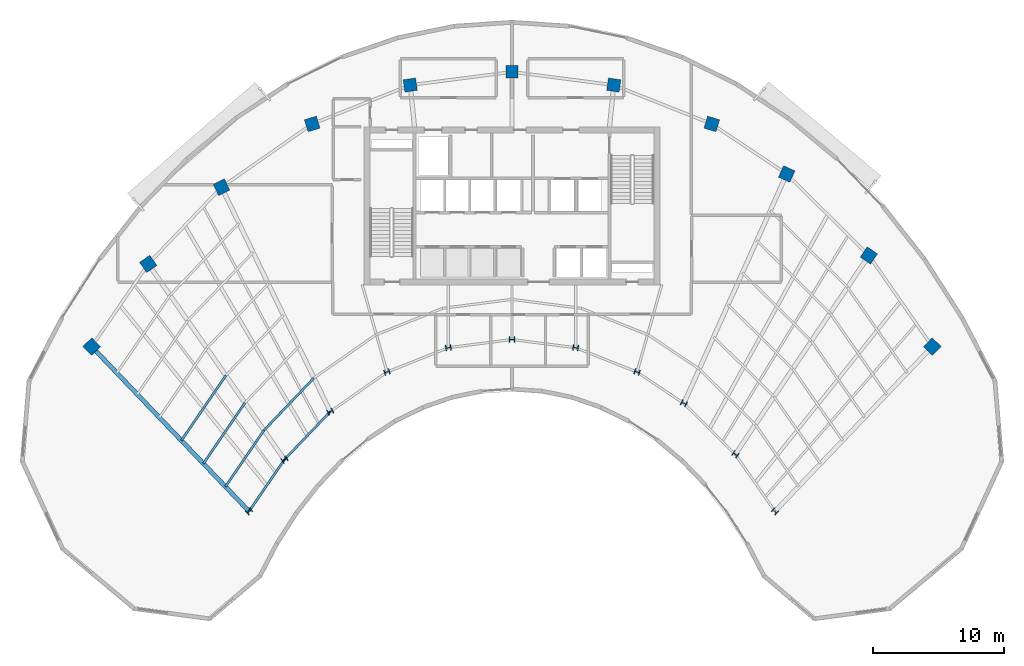
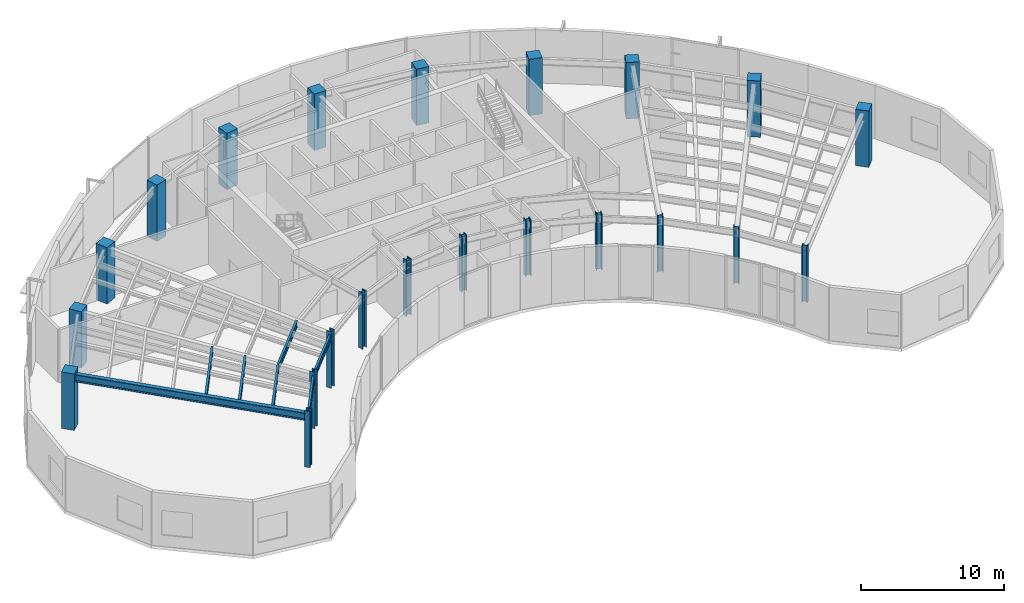
# One storey, part 1 of 15: 22 columns, 7 beams.
"""IFC4 building model written with IfcOpenShell, lengths in metres."""

from ifc_helpers import new_model, si_unit, direction, frame, origin, origin_2d, place, context, subcontext, project, spatial, rectangle, i_section, extrude, source, transform, mapped, material, material_profile, profile_set, type_object, type_shapes, element, save


model = new_model("IFC4")

# Units and contexts
model_context = context("Model", 3, precision=1e-05, world=origin(), true_north=direction((0.0, 1.0)))
body_context = subcontext(model_context, "Body", "Model", "MODEL_VIEW")
ifc_project = project(units=[si_unit("LENGTHUNIT", "METRE"), si_unit("AREAUNIT", "SQUARE_METRE"), si_unit("VOLUMEUNIT", "CUBIC_METRE"), si_unit("PLANEANGLEUNIT", "RADIAN"), si_unit("MASSUNIT", "GRAM", prefix="KILO")], contexts=[model_context])

# Site, building, storey
site_placement = place(None, origin())
site = spatial("IfcSite", under=ifc_project, at=site_placement, CompositionType="ELEMENT")
building_placement = place(site_placement, origin())
building = spatial("IfcBuilding", under=site, at=building_placement, Name="Breltana Convention Tower", CompositionType="ELEMENT")
storey_placement = place(building_placement, frame((0.0, 0.0, 199.199951171875)))
storey = spatial("IfcBuildingStorey", under=building, at=storey_placement, Name="L48", CompositionType="ELEMENT", Elevation=199.199951171875)

# Columns
ifc_material_1 = material(Name="Steel ASTM A992 Grade 50", Category="steel")
ifc_material_profile_1 = material_profile(ifc_material_1, i_section(OverallWidth=0.406005859375, OverallDepth=0.416015625, WebThickness=0.02978515625, FlangeThickness=0.048095703125, at=origin_2d()), Name="W14X257")
ifc_profile_set_1 = profile_set([ifc_material_profile_1], Name="Steel ASTM A992 Grade 50")
column_type_1 = type_object("IfcColumnType", Name="COL-STL-W14X257", PredefinedType="COLUMN", material=ifc_profile_set_1)
shared_shape_1 = source(origin(), body_context, "Body", "SweptSolid", [
    extrude(i_section(OverallWidth=0.406005859375, OverallDepth=0.416015625, WebThickness=0.02978515625, FlangeThickness=0.048095703125, at=origin_2d()), origin(), (0.0, 0.0, 1.0), 4.800048828125),
])
type_shapes(column_type_1, [shared_shape_1])
for number, where, z_axis, x_axis, name in (
    (1, (27.984619140625, 42.95458984375, 0.0), (0.0, 0.0, 1.0), (-0.690756218984, 0.723087716626, 0.0), "L48 Tower Column R01-IN"),
    (2, (30.67724609375, 46.892333984375, 0.0), (0.0, 0.0, 1.0), (-0.571143442153, 0.820850271661, 0.0), "L48 Tower Column R02-IN"),
    (3, (34.166259765625, 50.544921875, 0.0), (0.0, 0.0, 1.0), (-0.436173672171, 0.899862504889, 0.0), "L48 Tower Column R03-IN"),
    (4, (38.485107421875, 53.5576171875, 0.0), (0.0, 0.0, 1.0), (-0.288697611798, 0.957420330337, 0.0), "L48 Tower Column R04-IN"),
    (5, (43.153564453125, 55.41064453125, 0.0), (0.0, 0.0, 1.0), (-0.143492621991, 0.98965138682, 0.0), "L48 Tower Column R05-IN"),
    (6, (48.0, 56.035888671875, 0.0), (0.0, 0.0, 1.0), (0.0, 1.0, 0.0), "L48 Tower Column R06-IN"),
    (7, (52.846435546875, 55.41064453125, 0.0), (0.0, 0.0, 1.0), (0.143492621991, 0.98965138682, 0.0), "L48 Tower Column R07-IN"),
    (8, (57.514892578125, 53.5576171875, 0.0), (0.0, 0.0, 1.0), (0.288697611798, 0.957420330337, 0.0), "L48 Tower Column R08-IN"),
    (9, (61.08203125, 51.174560546875, 0.0), (0.0, 0.0, 1.0), (0.409126902895, 0.912477494148, 0.0), "L48 Tower Column R09-IN"),
    (10, (64.995849609375, 47.293701171875, 0.0), (0.0, 0.0, 1.0), (0.55774510898, 0.830012285095, 0.0), "L48 Tower Column R10-IN"),
    (11, (68.015380859375, 42.95458984375, 0.0), (0.0, 0.0, 1.0), (0.690756218984, 0.723087716626, 0.0), "L48 Tower Column R11-IN"),
):
    element("IfcColumn", number, at=place(storey_placement, frame(where, z_axis=z_axis, x_axis=x_axis)), inside=storey, type_object=column_type_1, Name=name, PredefinedType="COLUMN", context=body_context, shape_type="MappedRepresentation", body=[
        mapped(shared_shape_1, transform((0.0, 0.0, 0.0), scale=1.0)),
    ])
ifc_material_2 = material(Name="Concrete C50/60", Category="concrete")
ifc_material_profile_2 = material_profile(ifc_material_2, rectangle(XDim=0.949951171875, YDim=0.949951171875, at=origin_2d()), Name="RC-COL-950X950")
ifc_profile_set_2 = profile_set([ifc_material_profile_2], Name="Concrete C50/60")
column_type_2 = type_object("IfcColumnType", Name="COL-RC-950", PredefinedType="COLUMN", material=ifc_profile_set_2)
shared_shape_2 = source(origin(), body_context, "Body", "SweptSolid", [
    extrude(rectangle(XDim=0.949951171875, YDim=0.949951171875, at=origin_2d()), origin(), (0.0, 0.0, 1.0), 4.800048828125),
])
type_shapes(column_type_2, [shared_shape_2])
for number, where, z_axis, x_axis, name in (
    (12, (16.0068359375, 55.494384765625, 0.0), (0.0, 0.0, 1.0), (-0.690756218984, 0.723087716626, 0.0), "L48 Tower Column R01-OUT"),
    (13, (20.310791015625, 61.78857421875, 0.0), (0.0, 0.0, 1.0), (-0.571143442153, 0.820850271661, 0.0), "L48 Tower Column R02-OUT"),
    (14, (25.8876953125, 67.626953125, 0.0), (0.0, 0.0, 1.0), (-0.436173672171, 0.899862504889, 0.0), "L48 Tower Column R03-OUT"),
    (15, (32.791015625, 72.4423828125, 0.0), (0.0, 0.0, 1.0), (-0.288697611798, 0.957420330337, 0.0), "L48 Tower Column R04-OUT"),
    (16, (40.253173828125, 75.404296875, 0.0), (0.0, 0.0, 1.0), (-0.143492621991, 0.98965138682, 0.0), "L48 Tower Column R05-OUT"),
    (17, (48.0, 76.404052734375, 0.0), (0.0, 0.0, 1.0), (0.0, 1.0, 0.0), "L48 Tower Column R06-OUT"),
    (18, (55.746826171875, 75.404296875, 0.0), (0.0, 0.0, 1.0), (0.143492621991, 0.98965138682, 0.0), "L48 Tower Column R07-OUT"),
    (19, (63.208984375, 72.4423828125, 0.0), (0.0, 0.0, 1.0), (0.288697611798, 0.957420330337, 0.0), "L48 Tower Column R08-OUT"),
    (20, (68.910400390625, 68.63330078125, 0.0), (0.0, 0.0, 1.0), (0.409126902895, 0.912477494148, 0.0), "L48 Tower Column R09-OUT"),
    (21, (75.166748046875, 62.43017578125, 0.0), (0.0, 0.0, 1.0), (0.55774510898, 0.830012285095, 0.0), "L48 Tower Column R10-OUT"),
    (22, (79.9931640625, 55.494384765625, 0.0), (0.0, 0.0, 1.0), (0.690756218984, 0.723087716626, 0.0), "L48 Tower Column R11-OUT"),
):
    element("IfcColumn", number, at=place(storey_placement, frame(where, z_axis=z_axis, x_axis=x_axis)), inside=storey, type_object=column_type_2, Name=name, PredefinedType="COLUMN", context=body_context, shape_type="MappedRepresentation", body=[
        mapped(shared_shape_2, transform((0.0, 0.0, 0.0), scale=1.0)),
    ])

# Beams
ifc_material_profile_3 = material_profile(ifc_material_1, i_section(OverallWidth=0.166015625, OverallDepth=0.534912109375, WebThickness=0.01025390625, FlangeThickness=0.0166015625, at=origin_2d()), Name="W21X57")
ifc_profile_set_3 = profile_set([ifc_material_profile_3], Name="Steel ASTM A992 Grade 50")
beam_type_1 = type_object("IfcBeamType", Name="BM-BM-W21X57", PredefinedType="BEAM", material=ifc_profile_set_3)
shared_shape_3 = source(origin(), body_context, "Body", "SweptSolid", [
    extrude(i_section(OverallWidth=0.166015625, OverallDepth=0.534912109375, WebThickness=0.01025390625, FlangeThickness=0.0166015625, at=origin_2d()), origin(), (0.0, 0.0, 1.0), 4.770263671875),
])
beam_1_placement = place(storey_placement, frame((27.984619140625, 42.95458984375, 4.2724609375), z_axis=(0.564452719055, 0.82546540082, 0.0), x_axis=(-0.82546540082, 0.564452719055, 0.0)))
element("IfcBeam", 23, at=beam_1_placement, inside=storey, type_object=beam_type_1, Name="L48 Inner Ring Beam 01", PredefinedType="BEAM", context=body_context, shape_type="MappedRepresentation", body=[
    mapped(shared_shape_3, transform((0.0, 0.0, 0.0), scale=1.0)),
])
shared_shape_4 = source(origin(), body_context, "Body", "SweptSolid", [
    extrude(i_section(OverallWidth=0.166015625, OverallDepth=0.534912109375, WebThickness=0.01025390625, FlangeThickness=0.0166015625, at=origin_2d()), origin(), (0.0, 0.0, 1.0), 5.05126953125),
])
beam_2_placement = place(storey_placement, frame((30.67724609375, 46.892333984375, 4.2724609375), z_axis=(0.690729753845, 0.7231129975, 0.0), x_axis=(-0.7231129975, 0.690729753845, 0.0)))
element("IfcBeam", 24, at=beam_2_placement, inside=storey, type_object=beam_type_1, Name="L48 Inner Ring Beam 02", PredefinedType="BEAM", context=body_context, shape_type="MappedRepresentation", body=[
    mapped(shared_shape_4, transform((0.0, 0.0, 0.0), scale=1.0)),
])
ifc_material_profile_4 = material_profile(ifc_material_1, i_section(OverallWidth=0.166015625, OverallDepth=0.534912109375, WebThickness=0.01025390625, FlangeThickness=0.0166015625, at=origin_2d()), Name="W21X57")
ifc_profile_set_4 = profile_set([ifc_material_profile_4], Name="Steel ASTM A992 Grade 50")
beam_type_2 = type_object("IfcBeamType", Name="BM-JSG-05", PredefinedType="JOIST", material=ifc_profile_set_4)
shared_shape_5 = source(origin(), body_context, "Body", "SweptSolid", [
    extrude(i_section(OverallWidth=0.166015625, OverallDepth=0.534912109375, WebThickness=0.01025390625, FlangeThickness=0.0166015625, at=origin_2d()), origin(), (0.0, 0.0, 1.0), 5.198486328125),
])
beam_3_placement = place(storey_placement, frame((26.187744140625, 44.835693359375, 4.2724609375), z_axis=(0.564502073134, 0.825431650367, 0.0), x_axis=(-0.825431650367, 0.564502073134, 0.0)))
element("IfcBeam", 25, at=beam_3_placement, inside=storey, type_object=beam_type_2, Name="L48 Composite Floor Joist 01.1", PredefinedType="JOIST", context=body_context, shape_type="MappedRepresentation", body=[
    mapped(shared_shape_5, transform((0.0, 0.0, 0.0), scale=1.0)),
])
shared_shape_6 = source(origin(), body_context, "Body", "SweptSolid", [
    extrude(i_section(OverallWidth=0.166015625, OverallDepth=0.534912109375, WebThickness=0.01025390625, FlangeThickness=0.0166015625, at=origin_2d()), origin(), (0.0, 0.0, 1.0), 5.59814453125),
])
beam_4_placement = place(storey_placement, frame((24.510986328125, 46.59130859375, 4.2724609375), z_axis=(0.564454073219, 0.825464474842, 0.0), x_axis=(-0.825464474842, 0.564454073219, 0.0)))
element("IfcBeam", 26, at=beam_4_placement, inside=storey, type_object=beam_type_2, Name="L48 Composite Floor Joist 01.2", PredefinedType="JOIST", context=body_context, shape_type="MappedRepresentation", body=[
    mapped(shared_shape_6, transform((0.0, 0.0, 0.0), scale=1.0)),
])
shared_shape_7 = source(origin(), body_context, "Body", "SweptSolid", [
    extrude(i_section(OverallWidth=0.166015625, OverallDepth=0.534912109375, WebThickness=0.01025390625, FlangeThickness=0.0166015625, at=origin_2d()), origin(), (0.0, 0.0, 1.0), 5.998046875),
])
beam_5_placement = place(storey_placement, frame((22.833984375, 48.3466796875, 4.2724609375), z_axis=(0.564467940449, 0.825454992235, 0.0), x_axis=(-0.825454992235, 0.564467940449, 0.0)))
element("IfcBeam", 27, at=beam_5_placement, inside=storey, type_object=beam_type_2, Name="L48 Composite Floor Joist 01.3", PredefinedType="JOIST", context=body_context, shape_type="MappedRepresentation", body=[
    mapped(shared_shape_7, transform((0.0, 0.0, 0.0), scale=1.0)),
])
shared_shape_8 = source(origin(), body_context, "Body", "SweptSolid", [
    extrude(i_section(OverallWidth=0.166015625, OverallDepth=0.534912109375, WebThickness=0.01025390625, FlangeThickness=0.0166015625, at=origin_2d()), origin(), (0.0, 0.0, 1.0), 5.504638671875),
])
beam_6_placement = place(storey_placement, frame((29.122314453125, 49.126708984375, 4.2724609375), z_axis=(0.690687741728, 0.72315312585, 0.0), x_axis=(-0.72315312585, 0.690687741728, 0.0)))
element("IfcBeam", 28, at=beam_6_placement, inside=storey, type_object=beam_type_2, Name="L48 Composite Floor Joist 02.1", PredefinedType="JOIST", context=body_context, shape_type="MappedRepresentation", body=[
    mapped(shared_shape_8, transform((0.0, 0.0, 0.0), scale=1.0)),
])
ifc_material_profile_5 = material_profile(ifc_material_1, i_section(OverallWidth=0.326904296875, OverallDepth=0.6220703125, WebThickness=0.015380859375, FlangeThickness=0.0244140625, at=origin_2d()), Name="W24X131")
ifc_profile_set_5 = profile_set([ifc_material_profile_5], Name="Steel ASTM A992 Grade 50")
beam_type_3 = type_object("IfcBeamType", Name="BM-RG-W24X131", PredefinedType="USERDEFINED", material=ifc_profile_set_5)
shared_shape_9 = source(origin(), body_context, "Body", "SweptSolid", [
    extrude(i_section(OverallWidth=0.326904296875, OverallDepth=0.6220703125, WebThickness=0.015380859375, FlangeThickness=0.0244140625, at=origin_2d()), origin(), (0.0, 0.0, 1.0), 17.341064453125),
])
type_shapes(beam_type_3, [shared_shape_9])
beam_7_placement = place(storey_placement, frame((27.984619140625, 42.95458984375, 4.22900390625), z_axis=(-0.690716462293, 0.723125693581, 0.0), x_axis=(-0.723125693581, -0.690716462293, 0.0)))
element("IfcBeam", 29, at=beam_7_placement, inside=storey, type_object=beam_type_3, Name="L48 Radial Floor Girder R01", ObjectType="GIRDER", PredefinedType="USERDEFINED", context=body_context, shape_type="MappedRepresentation", body=[
    mapped(shared_shape_9, transform((0.0, 0.0, 0.0), scale=1.0)),
])

save(model, "model.ifc")
